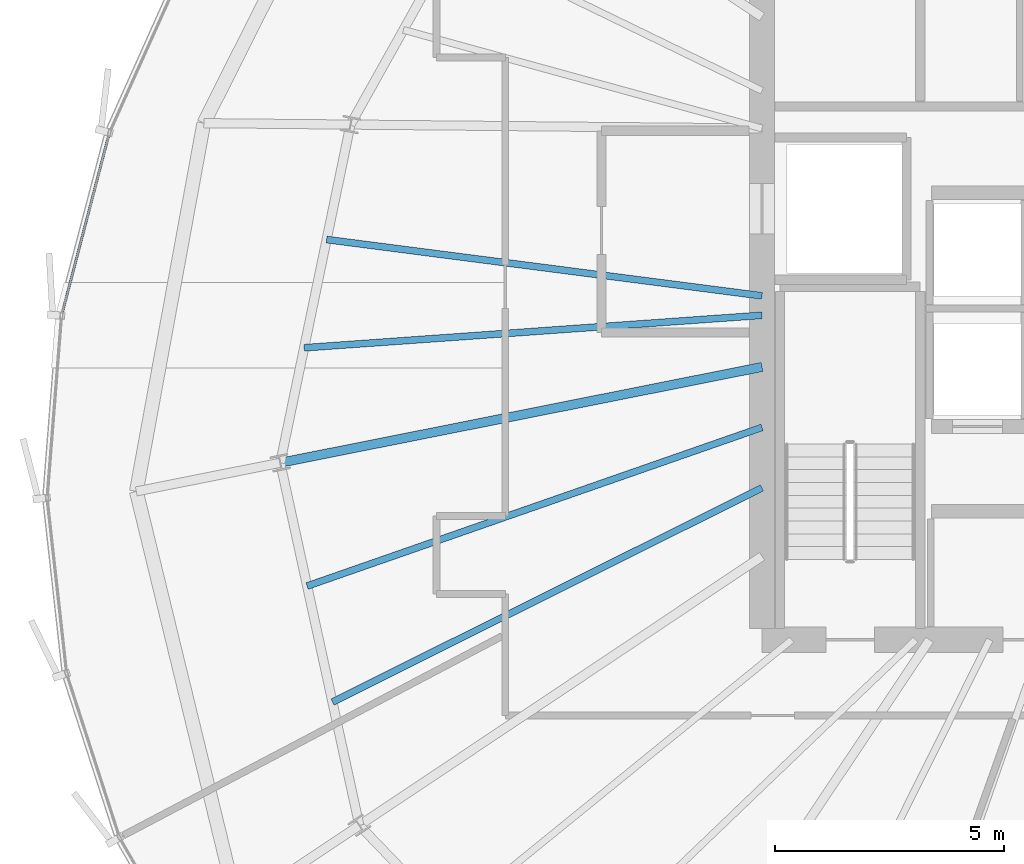
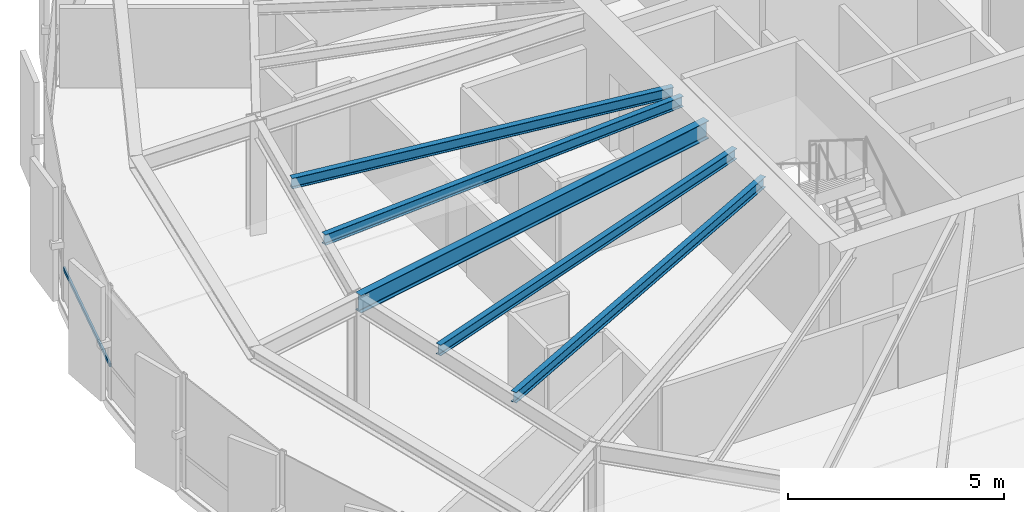
# One storey, part 10 of 35: 5 beams, 1 member, 1 element without a shape of its own.
"""IFC4 building model written with IfcOpenShell, lengths in metres."""

from ifc_helpers import new_model, si_unit, direction, frame, origin, origin_2d, place, context, subcontext, project, spatial, hollow_rectangle, i_section, extrude, source, transform, mapped, material, layer, layer_set, material_profile, profile_set, type_object, element, aggregate, save


model = new_model("IFC4")

# Units and contexts
model_context = context("Model", 3, precision=1e-05, world=origin(), true_north=direction((0.0, 1.0)))
body_context = subcontext(model_context, "Body", "Model", "MODEL_VIEW")
ifc_project = project(units=[si_unit("LENGTHUNIT", "METRE"), si_unit("AREAUNIT", "SQUARE_METRE"), si_unit("VOLUMEUNIT", "CUBIC_METRE"), si_unit("PLANEANGLEUNIT", "RADIAN"), si_unit("MASSUNIT", "GRAM", prefix="KILO"), si_unit("THERMODYNAMICTEMPERATUREUNIT", "KELVIN")], contexts=[model_context])

# Site, building, storey
site_placement = place(None, origin())
site = spatial("IfcSite", under=ifc_project, at=site_placement, CompositionType="ELEMENT")
building_placement = place(site_placement, origin())
building = spatial("IfcBuilding", under=site, at=building_placement, Name="Kethvar Cultural Tower", CompositionType="ELEMENT")
storey_placement = place(building_placement, frame((0.0, 0.0, 179.89990234375)))
storey = spatial("IfcBuildingStorey", under=building, at=storey_placement, Name="L46", CompositionType="ELEMENT", Elevation=179.89990234375)

# Beams
ifc_material_1 = material(Name="Steel S355J2", Category="steel")
ifc_material_profile_1 = material_profile(ifc_material_1, i_section(OverallWidth=0.199951171875, OverallDepth=0.5, WebThickness=0.01025390625, FlangeThickness=0.01611328125, FilletRadius=0.02099609375, at=origin_2d()), Name="Steel S355J2 — IPE500")
ifc_profile_set_1 = profile_set([ifc_material_profile_1], Name="Steel S355J2 — IPE500")
beam_type_1 = type_object("IfcBeamType", Name="BM-IPE500", PredefinedType="BEAM", material=ifc_profile_set_1)
shared_shape_1 = source(origin(), body_context, "Body", "SweptSolid", [
    extrude(i_section(OverallWidth=0.199951171875, OverallDepth=0.5, WebThickness=0.01025390625, FlangeThickness=0.01611328125, FilletRadius=0.02099609375, at=origin_2d()), origin(), (0.0, 0.0, 1.0), 10.712890625),
])
beam_1_placement = place(storey_placement, frame((38.0, 26.049560546875, 3.008056640625), z_axis=(-0.980787859831, -0.195077353908, 0.0), x_axis=(0.195077353908, -0.980787859831, 0.0)))
element("IfcBeam", 1, at=beam_1_placement, inside=storey, type_object=beam_type_1, Name="L46 Primary Radial Beam RB-09", PredefinedType="BEAM", context=body_context, shape_type="MappedRepresentation", body=[
    mapped(shared_shape_1, transform((0.0, 0.0, 0.0), scale=1.0)),
])
ifc_material_profile_2 = material_profile(ifc_material_1, i_section(OverallWidth=0.14990234375, OverallDepth=0.300048828125, WebThickness=0.007080078125, FlangeThickness=0.0107421875, FilletRadius=0.014892578125, at=origin_2d()), Name="Steel S355J2 — IPE300")
ifc_profile_set_2 = profile_set([ifc_material_profile_2], Name="Steel S355J2 — IPE300")
beam_type_2 = type_object("IfcBeamType", Name="BM-J300", PredefinedType="JOIST", material=ifc_profile_set_2)
shared_shape_2 = source(origin(), body_context, "Body", "SweptSolid", [
    extrude(i_section(OverallWidth=0.14990234375, OverallDepth=0.300048828125, WebThickness=0.007080078125, FlangeThickness=0.0107421875, FilletRadius=0.014892578125, at=origin_2d()), origin(), (0.0, 0.0, 1.0), 9.5751953125),
])
beam_2_placement = place(storey_placement, frame((38.0, 27.60009765625, 3.108154296875), z_axis=(-0.991744950922, 0.128226176424, 0.0), x_axis=(-0.128226176424, -0.991744950922, 0.0)))
element("IfcBeam", 2, at=beam_2_placement, inside=storey, type_object=beam_type_2, Name="L46 Composite Floor Joist J-08A", PredefinedType="JOIST", context=body_context, shape_type="MappedRepresentation", body=[
    mapped(shared_shape_2, transform((0.0, 0.0, 0.0), scale=1.0)),
])
shared_shape_3 = source(origin(), body_context, "Body", "SweptSolid", [
    extrude(i_section(OverallWidth=0.14990234375, OverallDepth=0.300048828125, WebThickness=0.007080078125, FlangeThickness=0.0107421875, FilletRadius=0.014892578125, at=origin_2d()), origin(), (0.0, 0.0, 1.0), 10.01123046875),
])
beam_3_placement = place(storey_placement, frame((38.0, 27.17578125, 3.108154296875), z_axis=(-0.997494349679, -0.070746182637, 0.0), x_axis=(0.070746182637, -0.997494349679, 0.0)))
element("IfcBeam", 3, at=beam_3_placement, inside=storey, type_object=beam_type_2, Name="L46 Composite Floor Joist J-08B", PredefinedType="JOIST", context=body_context, shape_type="MappedRepresentation", body=[
    mapped(shared_shape_3, transform((0.0, 0.0, 0.0), scale=1.0)),
])
shared_shape_4 = source(origin(), body_context, "Body", "SweptSolid", [
    extrude(i_section(OverallWidth=0.14990234375, OverallDepth=0.300048828125, WebThickness=0.007080078125, FlangeThickness=0.0107421875, FilletRadius=0.014892578125, at=origin_2d()), origin(), (0.0, 0.0, 1.0), 10.506591796875),
])
beam_4_placement = place(storey_placement, frame((38.0, 24.73095703125, 3.108154296875), z_axis=(-0.944221858738, -0.329310008171, 0.0), x_axis=(0.329310008171, -0.944221858738, 0.0)))
element("IfcBeam", 4, at=beam_4_placement, inside=storey, type_object=beam_type_2, Name="L46 Composite Floor Joist J-09A", PredefinedType="JOIST", context=body_context, shape_type="MappedRepresentation", body=[
    mapped(shared_shape_4, transform((0.0, 0.0, 0.0), scale=1.0)),
])
shared_shape_5 = source(origin(), body_context, "Body", "SweptSolid", [
    extrude(i_section(OverallWidth=0.14990234375, OverallDepth=0.300048828125, WebThickness=0.007080078125, FlangeThickness=0.0107421875, FilletRadius=0.014892578125, at=origin_2d()), origin(), (0.0, 0.0, 1.0), 10.468994140625),
])
beam_5_placement = place(storey_placement, frame((38.0, 23.412109375, 3.108154296875), z_axis=(-0.894916380948, -0.446233874904, 0.0), x_axis=(0.446233874904, -0.894916380948, 0.0)))
element("IfcBeam", 5, at=beam_5_placement, inside=storey, type_object=beam_type_2, Name="L46 Composite Floor Joist J-09B", PredefinedType="JOIST", context=body_context, shape_type="MappedRepresentation", body=[
    mapped(shared_shape_5, transform((0.0, 0.0, 0.0), scale=1.0)),
])

# Curtain wall, member
ifc_material_2 = material(Name="Aluminium 6063-T6", Category="aluminium")
ifc_layer = layer(ifc_material_2, 0.179931640625, Name="Aluminium 6063-T6", Category="aluminium")
ifc_layer_set = layer_set([ifc_layer], Name="Aluminium 6063-T6 (180 mm)")
curtain_wall_type = type_object("IfcCurtainWallType", Name="CW-SYS-04-Z34", PredefinedType="NOTDEFINED", material=ifc_layer_set)
curtain_wall_placement = place(storey_placement, origin())
curtain_wall = element("IfcCurtainWall", 6, at=curtain_wall_placement, inside=storey, type_object=curtain_wall_type, Name="L46 Curtain Wall Run 03", PredefinedType="NOTDEFINED")
ifc_material_profile_3 = material_profile(ifc_material_2, hollow_rectangle(XDim=0.050048828125, YDim=0.10009765625, WallThickness=0.00390625, at=origin_2d()), Name="Aluminium 6063-T6 — RHS100x50x4")
ifc_profile_set_3 = profile_set([ifc_material_profile_3], Name="Aluminium 6063-T6 — RHS100x50x4")
member_type = type_object("IfcMemberType", Name="CW-SYS-04-Z34-TRN", PredefinedType="USERDEFINED", material=ifc_profile_set_3)
shared_shape_6 = source(origin(), body_context, "Body", "SweptSolid", [
    extrude(hollow_rectangle(XDim=0.050048828125, YDim=0.10009765625, WallThickness=0.00390625, at=origin_2d()), origin(), (0.0, 0.0, 1.0), 4.061279296875),
])
member_placement = place(storey_placement, frame((23.75634765625, 31.119384765625, 0.9501953125), z_axis=(-0.253016491461, -0.967461965686, 0.0), x_axis=(0.967461965686, -0.253016491461, 0.0)))
member = element("IfcMember", 7, at=member_placement, type_object=member_type, Name="CW-L46-R03 Transom 2", ObjectType="TRANSOM", PredefinedType="USERDEFINED", context=body_context, shape_type="MappedRepresentation", body=[
    mapped(shared_shape_6, transform((0.0, 0.0, 0.0), scale=1.0)),
])
aggregate(curtain_wall, [member])

save(model, "model.ifc")
